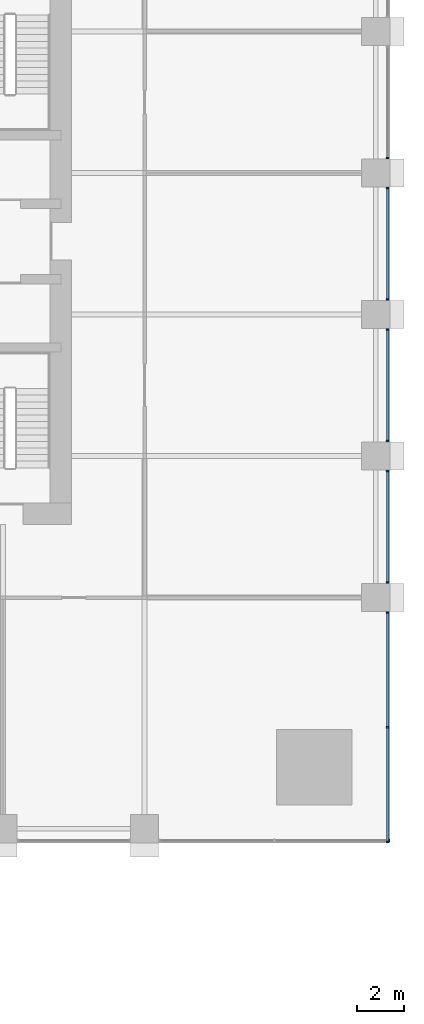
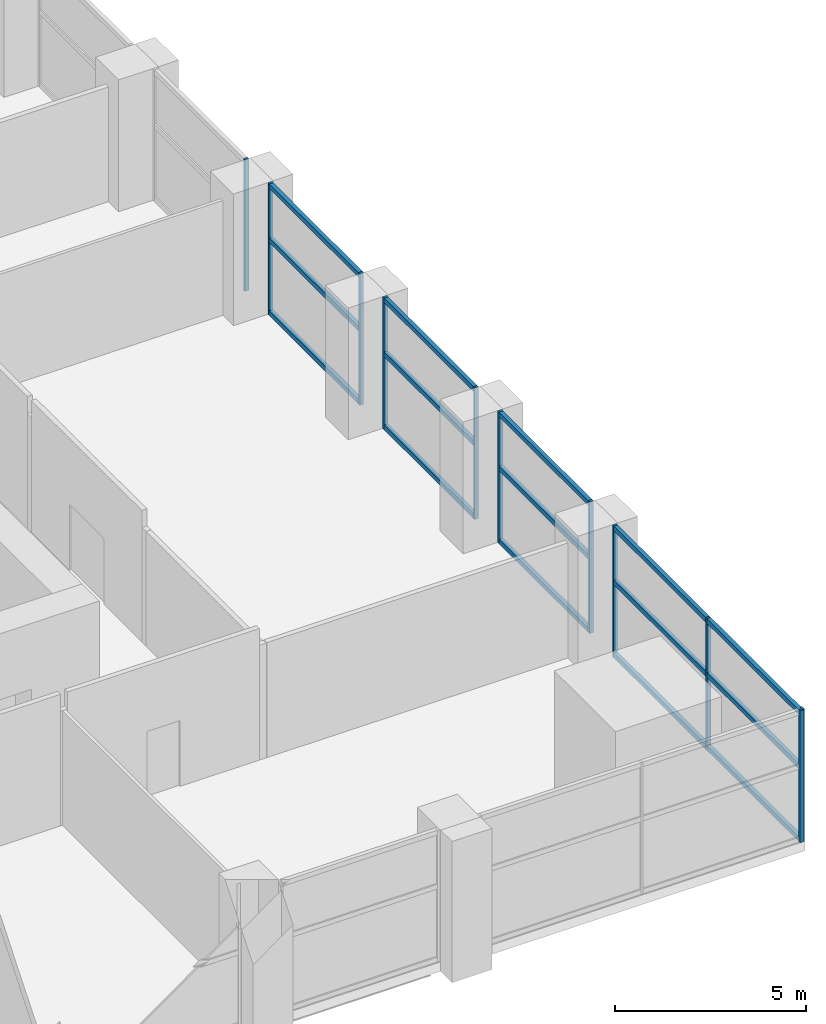
# One storey, part 6 of 25: 26 members, 6 elements without a shape of their own.
"""IFC4 building model written with IfcOpenShell, lengths in metres."""

from ifc_helpers import new_model, si_unit, direction, frame, origin, origin_2d, place, context, subcontext, project, spatial, rectangle, extrude, material, material_profile, profile_set, type_object, element, aggregate, save


model = new_model("IFC4")

# Units and contexts
model_context = context("Model", 3, precision=1e-05, world=origin(), true_north=direction((0.0, 1.0)))
body_context = subcontext(model_context, "Body", "Model", "MODEL_VIEW")
ifc_project = project(units=[si_unit("LENGTHUNIT", "METRE"), si_unit("AREAUNIT", "SQUARE_METRE"), si_unit("VOLUMEUNIT", "CUBIC_METRE"), si_unit("PLANEANGLEUNIT", "RADIAN"), si_unit("MASSUNIT", "GRAM", prefix="KILO")], contexts=[model_context])

# Site, building, storey
site_placement = place(None, origin())
site = spatial("IfcSite", under=ifc_project, at=site_placement, CompositionType="ELEMENT")
building_placement = place(site_placement, origin())
building = spatial("IfcBuilding", under=site, at=building_placement, Name="Amberfall Residences", CompositionType="ELEMENT")
storey_placement = place(building_placement, frame((0.0, 0.0, 14.5)))
storey = spatial("IfcBuildingStorey", under=building, at=storey_placement, Name="L03", CompositionType="ELEMENT", Elevation=14.5)

# Curtain wall, member
ifc_material_1 = material(Name="Bronze anodised aluminium and glass", Category="aluminium")
curtain_wall_type = type_object("IfcCurtainWallType", Name="Curtain wall CW4 podium storefront", PredefinedType="USERDEFINED", material=ifc_material_1)
curtain_wall_1_placement = place(storey_placement, origin())
curtain_wall_1 = element("IfcCurtainWall", 1, at=curtain_wall_1_placement, inside=storey, type_object=curtain_wall_type, Name="Storefront L03 S7", ObjectType="UNITISED CURTAIN WALL", PredefinedType="USERDEFINED")
ifc_material_2 = material(Name="Bronze anodised aluminium", Category="aluminium")
ifc_material_profile_1 = material_profile(ifc_material_2, rectangle(XDim=0.1201171875, YDim=0.070068359375, at=origin_2d()), Name="CW4 mullion 70 x 120 bronze")
ifc_profile_set_1 = profile_set([ifc_material_profile_1], Name="Bronze anodised aluminium")
member_type_1 = type_object("IfcMemberType", Name="CW4 mullion 70 x 120 bronze", PredefinedType="MULLION", material=ifc_profile_set_1)
member_1_placement = place(storey_placement, frame((99.965087890625, 20.10009765625, 0.0), z_axis=(0.0, 0.0, 1.0), x_axis=(0.0, 1.0, 0.0)))
member_1 = element("IfcMember", 2, at=member_1_placement, type_object=member_type_1, Name="CW4 mullion 3", PredefinedType="MULLION", context=body_context, shape_type="SweptSolid", body=[
    extrude(rectangle(XDim=0.1201171875, YDim=0.070068359375, at=origin_2d()), origin(), (0.0, 0.0, 1.0), 4.199951171875),
])
aggregate(curtain_wall_1, [member_1])

# Curtain wall, members
curtain_wall_2_placement = place(storey_placement, origin())
curtain_wall_2 = element("IfcCurtainWall", 3, at=curtain_wall_2_placement, inside=storey, type_object=curtain_wall_type, Name="Storefront L03 E1", ObjectType="UNITISED CURTAIN WALL", PredefinedType="USERDEFINED")
member_2_placement = place(storey_placement, frame((99.89990234375, 20.034912109375, 0.0), z_axis=(0.0, 0.0, 1.0), x_axis=(-1.0, 0.0, 0.0)))
member_2 = element("IfcMember", 4, at=member_2_placement, type_object=member_type_1, Name="CW4 mullion 1", PredefinedType="MULLION", context=body_context, shape_type="SweptSolid", body=[
    extrude(rectangle(XDim=0.1201171875, YDim=0.070068359375, at=origin_2d()), origin(), (0.0, 0.0, 1.0), 4.199951171875),
])
member_3_placement = place(storey_placement, frame((99.89990234375, 24.89990234375, 0.0), z_axis=(0.0, 0.0, 1.0), x_axis=(-1.0, 0.0, 0.0)))
member_3 = element("IfcMember", 5, at=member_3_placement, type_object=member_type_1, Name="CW4 mullion 2", PredefinedType="MULLION", context=body_context, shape_type="SweptSolid", body=[
    extrude(rectangle(XDim=0.1201171875, YDim=0.070068359375, at=origin_2d()), origin(), (0.0, 0.0, 1.0), 4.199951171875),
])
member_4_placement = place(storey_placement, frame((99.89990234375, 29.764892578125, 0.0), z_axis=(0.0, 0.0, 1.0), x_axis=(-1.0, 0.0, 0.0)))
member_4 = element("IfcMember", 6, at=member_4_placement, type_object=member_type_1, Name="CW4 mullion 3", PredefinedType="MULLION", context=body_context, shape_type="SweptSolid", body=[
    extrude(rectangle(XDim=0.1201171875, YDim=0.070068359375, at=origin_2d()), origin(), (0.0, 0.0, 1.0), 4.199951171875),
])

curtain_wall_3_placement = place(storey_placement, origin())
curtain_wall_3 = element("IfcCurtainWall", 7, at=curtain_wall_3_placement, inside=storey, type_object=curtain_wall_type, Name="Storefront L03 E2", ObjectType="UNITISED CURTAIN WALL", PredefinedType="USERDEFINED")
member_5_placement = place(storey_placement, frame((99.89990234375, 31.034912109375, 0.0), z_axis=(0.0, 0.0, 1.0), x_axis=(-1.0, 0.0, 0.0)))
member_5 = element("IfcMember", 8, at=member_5_placement, type_object=member_type_1, Name="CW4 mullion 1", PredefinedType="MULLION", context=body_context, shape_type="SweptSolid", body=[
    extrude(rectangle(XDim=0.1201171875, YDim=0.070068359375, at=origin_2d()), origin(), (0.0, 0.0, 1.0), 4.199951171875),
])
member_6_placement = place(storey_placement, frame((99.89990234375, 35.764892578125, 0.0), z_axis=(0.0, 0.0, 1.0), x_axis=(-1.0, 0.0, 0.0)))
member_6 = element("IfcMember", 9, at=member_6_placement, type_object=member_type_1, Name="CW4 mullion 2", PredefinedType="MULLION", context=body_context, shape_type="SweptSolid", body=[
    extrude(rectangle(XDim=0.1201171875, YDim=0.070068359375, at=origin_2d()), origin(), (0.0, 0.0, 1.0), 4.199951171875),
])

curtain_wall_4_placement = place(storey_placement, origin())
curtain_wall_4 = element("IfcCurtainWall", 10, at=curtain_wall_4_placement, inside=storey, type_object=curtain_wall_type, Name="Storefront L03 E3", ObjectType="UNITISED CURTAIN WALL", PredefinedType="USERDEFINED")
member_7_placement = place(storey_placement, frame((99.89990234375, 37.034912109375, 0.0), z_axis=(0.0, 0.0, 1.0), x_axis=(-1.0, 0.0, 0.0)))
member_7 = element("IfcMember", 11, at=member_7_placement, type_object=member_type_1, Name="CW4 mullion 1", PredefinedType="MULLION", context=body_context, shape_type="SweptSolid", body=[
    extrude(rectangle(XDim=0.1201171875, YDim=0.070068359375, at=origin_2d()), origin(), (0.0, 0.0, 1.0), 4.199951171875),
])
member_8_placement = place(storey_placement, frame((99.89990234375, 41.764892578125, 0.0), z_axis=(0.0, 0.0, 1.0), x_axis=(-1.0, 0.0, 0.0)))
member_8 = element("IfcMember", 12, at=member_8_placement, type_object=member_type_1, Name="CW4 mullion 2", PredefinedType="MULLION", context=body_context, shape_type="SweptSolid", body=[
    extrude(rectangle(XDim=0.1201171875, YDim=0.070068359375, at=origin_2d()), origin(), (0.0, 0.0, 1.0), 4.199951171875),
])

curtain_wall_5_placement = place(storey_placement, origin())
curtain_wall_5 = element("IfcCurtainWall", 13, at=curtain_wall_5_placement, inside=storey, type_object=curtain_wall_type, Name="Storefront L03 E4", ObjectType="UNITISED CURTAIN WALL", PredefinedType="USERDEFINED")
member_9_placement = place(storey_placement, frame((99.89990234375, 43.034912109375, 0.0), z_axis=(0.0, 0.0, 1.0), x_axis=(-1.0, 0.0, 0.0)))
member_9 = element("IfcMember", 14, at=member_9_placement, type_object=member_type_1, Name="CW4 mullion 1", PredefinedType="MULLION", context=body_context, shape_type="SweptSolid", body=[
    extrude(rectangle(XDim=0.1201171875, YDim=0.070068359375, at=origin_2d()), origin(), (0.0, 0.0, 1.0), 4.199951171875),
])
member_10_placement = place(storey_placement, frame((99.89990234375, 47.764892578125, 0.0), z_axis=(0.0, 0.0, 1.0), x_axis=(-1.0, 0.0, 0.0)))
member_10 = element("IfcMember", 15, at=member_10_placement, type_object=member_type_1, Name="CW4 mullion 2", PredefinedType="MULLION", context=body_context, shape_type="SweptSolid", body=[
    extrude(rectangle(XDim=0.1201171875, YDim=0.070068359375, at=origin_2d()), origin(), (0.0, 0.0, 1.0), 4.199951171875),
])

# Curtain wall, member
curtain_wall_6_placement = place(storey_placement, origin())
curtain_wall_6 = element("IfcCurtainWall", 16, at=curtain_wall_6_placement, inside=storey, type_object=curtain_wall_type, Name="Storefront L03 E5", ObjectType="UNITISED CURTAIN WALL", PredefinedType="USERDEFINED")
member_11_placement = place(storey_placement, frame((99.89990234375, 49.034912109375, 0.0), z_axis=(0.0, 0.0, 1.0), x_axis=(-1.0, 0.0, 0.0)))
member_11 = element("IfcMember", 17, at=member_11_placement, type_object=member_type_1, Name="CW4 mullion 1", PredefinedType="MULLION", context=body_context, shape_type="SweptSolid", body=[
    extrude(rectangle(XDim=0.1201171875, YDim=0.070068359375, at=origin_2d()), origin(), (0.0, 0.0, 1.0), 4.199951171875),
])
aggregate(curtain_wall_6, [member_11])

# Member
ifc_material_profile_2 = material_profile(ifc_material_2, rectangle(XDim=0.1201171875, YDim=0.14990234375, at=origin_2d()), Name="CW4 transom 120 x 150 bronze")
ifc_profile_set_2 = profile_set([ifc_material_profile_2], Name="Bronze anodised aluminium")
member_type_2 = type_object("IfcMemberType", Name="CW4 transom 120 x 150 bronze", PredefinedType="USERDEFINED", material=ifc_profile_set_2)
member_12_placement = place(storey_placement, frame((99.89990234375, 20.070068359375, 0.074951171875), z_axis=(0.0, 1.0, 0.0), x_axis=(-1.0, 0.0, 0.0)))
member_12 = element("IfcMember", 18, at=member_12_placement, type_object=member_type_2, Name="CW4 transom 1.1", ObjectType="TRANSOM", PredefinedType="USERDEFINED", context=body_context, shape_type="SweptSolid", body=[
    extrude(rectangle(XDim=0.1201171875, YDim=0.14990234375, at=origin_2d()), origin(), (0.0, 0.0, 1.0), 4.794921875),
])

member_13_placement = place(storey_placement, frame((99.89990234375, 20.070068359375, 2.39990234375), z_axis=(0.0, 1.0, 0.0), x_axis=(-1.0, 0.0, 0.0)))
member_13 = element("IfcMember", 19, at=member_13_placement, type_object=member_type_2, Name="CW4 transom 1.2", ObjectType="TRANSOM", PredefinedType="USERDEFINED", context=body_context, shape_type="SweptSolid", body=[
    extrude(rectangle(XDim=0.1201171875, YDim=0.14990234375, at=origin_2d()), origin(), (0.0, 0.0, 1.0), 4.794921875),
])

member_14_placement = place(storey_placement, frame((99.89990234375, 20.070068359375, 4.125), z_axis=(0.0, 1.0, 0.0), x_axis=(-1.0, 0.0, 0.0)))
member_14 = element("IfcMember", 20, at=member_14_placement, type_object=member_type_2, Name="CW4 transom 1.3", ObjectType="TRANSOM", PredefinedType="USERDEFINED", context=body_context, shape_type="SweptSolid", body=[
    extrude(rectangle(XDim=0.1201171875, YDim=0.14990234375, at=origin_2d()), origin(), (0.0, 0.0, 1.0), 4.794921875),
])

member_15_placement = place(storey_placement, frame((99.89990234375, 24.93505859375, 0.074951171875), z_axis=(0.0, 1.0, 0.0), x_axis=(-1.0, 0.0, 0.0)))
member_15 = element("IfcMember", 21, at=member_15_placement, type_object=member_type_2, Name="CW4 transom 2.1", ObjectType="TRANSOM", PredefinedType="USERDEFINED", context=body_context, shape_type="SweptSolid", body=[
    extrude(rectangle(XDim=0.1201171875, YDim=0.14990234375, at=origin_2d()), origin(), (0.0, 0.0, 1.0), 4.794921875),
])

member_16_placement = place(storey_placement, frame((99.89990234375, 24.93505859375, 2.39990234375), z_axis=(0.0, 1.0, 0.0), x_axis=(-1.0, 0.0, 0.0)))
member_16 = element("IfcMember", 22, at=member_16_placement, type_object=member_type_2, Name="CW4 transom 2.2", ObjectType="TRANSOM", PredefinedType="USERDEFINED", context=body_context, shape_type="SweptSolid", body=[
    extrude(rectangle(XDim=0.1201171875, YDim=0.14990234375, at=origin_2d()), origin(), (0.0, 0.0, 1.0), 4.794921875),
])

member_17_placement = place(storey_placement, frame((99.89990234375, 24.93505859375, 4.125), z_axis=(0.0, 1.0, 0.0), x_axis=(-1.0, 0.0, 0.0)))
member_17 = element("IfcMember", 23, at=member_17_placement, type_object=member_type_2, Name="CW4 transom 2.3", ObjectType="TRANSOM", PredefinedType="USERDEFINED", context=body_context, shape_type="SweptSolid", body=[
    extrude(rectangle(XDim=0.1201171875, YDim=0.14990234375, at=origin_2d()), origin(), (0.0, 0.0, 1.0), 4.794921875),
])

aggregate(curtain_wall_2, [member_2, member_3, member_4, member_12, member_13, member_14, member_15, member_16, member_17])

member_18_placement = place(storey_placement, frame((99.89990234375, 31.070068359375, 0.074951171875), z_axis=(0.0, 1.0, 0.0), x_axis=(-1.0, 0.0, 0.0)))
member_18 = element("IfcMember", 24, at=member_18_placement, type_object=member_type_2, Name="CW4 transom 1.1", ObjectType="TRANSOM", PredefinedType="USERDEFINED", context=body_context, shape_type="SweptSolid", body=[
    extrude(rectangle(XDim=0.1201171875, YDim=0.14990234375, at=origin_2d()), origin(), (0.0, 0.0, 1.0), 4.659912109375),
])

member_19_placement = place(storey_placement, frame((99.89990234375, 31.070068359375, 2.39990234375), z_axis=(0.0, 1.0, 0.0), x_axis=(-1.0, 0.0, 0.0)))
member_19 = element("IfcMember", 25, at=member_19_placement, type_object=member_type_2, Name="CW4 transom 1.2", ObjectType="TRANSOM", PredefinedType="USERDEFINED", context=body_context, shape_type="SweptSolid", body=[
    extrude(rectangle(XDim=0.1201171875, YDim=0.14990234375, at=origin_2d()), origin(), (0.0, 0.0, 1.0), 4.659912109375),
])

member_20_placement = place(storey_placement, frame((99.89990234375, 31.070068359375, 4.125), z_axis=(0.0, 1.0, 0.0), x_axis=(-1.0, 0.0, 0.0)))
member_20 = element("IfcMember", 26, at=member_20_placement, type_object=member_type_2, Name="CW4 transom 1.3", ObjectType="TRANSOM", PredefinedType="USERDEFINED", context=body_context, shape_type="SweptSolid", body=[
    extrude(rectangle(XDim=0.1201171875, YDim=0.14990234375, at=origin_2d()), origin(), (0.0, 0.0, 1.0), 4.659912109375),
])

aggregate(curtain_wall_3, [member_5, member_6, member_18, member_19, member_20])

member_21_placement = place(storey_placement, frame((99.89990234375, 37.070068359375, 0.074951171875), z_axis=(0.0, 1.0, 0.0), x_axis=(-1.0, 0.0, 0.0)))
member_21 = element("IfcMember", 27, at=member_21_placement, type_object=member_type_2, Name="CW4 transom 1.1", ObjectType="TRANSOM", PredefinedType="USERDEFINED", context=body_context, shape_type="SweptSolid", body=[
    extrude(rectangle(XDim=0.1201171875, YDim=0.14990234375, at=origin_2d()), origin(), (0.0, 0.0, 1.0), 4.659912109375),
])

member_22_placement = place(storey_placement, frame((99.89990234375, 37.070068359375, 2.39990234375), z_axis=(0.0, 1.0, 0.0), x_axis=(-1.0, 0.0, 0.0)))
member_22 = element("IfcMember", 28, at=member_22_placement, type_object=member_type_2, Name="CW4 transom 1.2", ObjectType="TRANSOM", PredefinedType="USERDEFINED", context=body_context, shape_type="SweptSolid", body=[
    extrude(rectangle(XDim=0.1201171875, YDim=0.14990234375, at=origin_2d()), origin(), (0.0, 0.0, 1.0), 4.659912109375),
])

member_23_placement = place(storey_placement, frame((99.89990234375, 37.070068359375, 4.125), z_axis=(0.0, 1.0, 0.0), x_axis=(-1.0, 0.0, 0.0)))
member_23 = element("IfcMember", 29, at=member_23_placement, type_object=member_type_2, Name="CW4 transom 1.3", ObjectType="TRANSOM", PredefinedType="USERDEFINED", context=body_context, shape_type="SweptSolid", body=[
    extrude(rectangle(XDim=0.1201171875, YDim=0.14990234375, at=origin_2d()), origin(), (0.0, 0.0, 1.0), 4.659912109375),
])

aggregate(curtain_wall_4, [member_7, member_8, member_21, member_22, member_23])

member_24_placement = place(storey_placement, frame((99.89990234375, 43.070068359375, 0.074951171875), z_axis=(0.0, 1.0, 0.0), x_axis=(-1.0, 0.0, 0.0)))
member_24 = element("IfcMember", 30, at=member_24_placement, type_object=member_type_2, Name="CW4 transom 1.1", ObjectType="TRANSOM", PredefinedType="USERDEFINED", context=body_context, shape_type="SweptSolid", body=[
    extrude(rectangle(XDim=0.1201171875, YDim=0.14990234375, at=origin_2d()), origin(), (0.0, 0.0, 1.0), 4.659912109375),
])

member_25_placement = place(storey_placement, frame((99.89990234375, 43.070068359375, 2.39990234375), z_axis=(0.0, 1.0, 0.0), x_axis=(-1.0, 0.0, 0.0)))
member_25 = element("IfcMember", 31, at=member_25_placement, type_object=member_type_2, Name="CW4 transom 1.2", ObjectType="TRANSOM", PredefinedType="USERDEFINED", context=body_context, shape_type="SweptSolid", body=[
    extrude(rectangle(XDim=0.1201171875, YDim=0.14990234375, at=origin_2d()), origin(), (0.0, 0.0, 1.0), 4.659912109375),
])

member_26_placement = place(storey_placement, frame((99.89990234375, 43.070068359375, 4.125), z_axis=(0.0, 1.0, 0.0), x_axis=(-1.0, 0.0, 0.0)))
member_26 = element("IfcMember", 32, at=member_26_placement, type_object=member_type_2, Name="CW4 transom 1.3", ObjectType="TRANSOM", PredefinedType="USERDEFINED", context=body_context, shape_type="SweptSolid", body=[
    extrude(rectangle(XDim=0.1201171875, YDim=0.14990234375, at=origin_2d()), origin(), (0.0, 0.0, 1.0), 4.659912109375),
])

aggregate(curtain_wall_5, [member_9, member_10, member_24, member_25, member_26])

save(model, "model.ifc")
